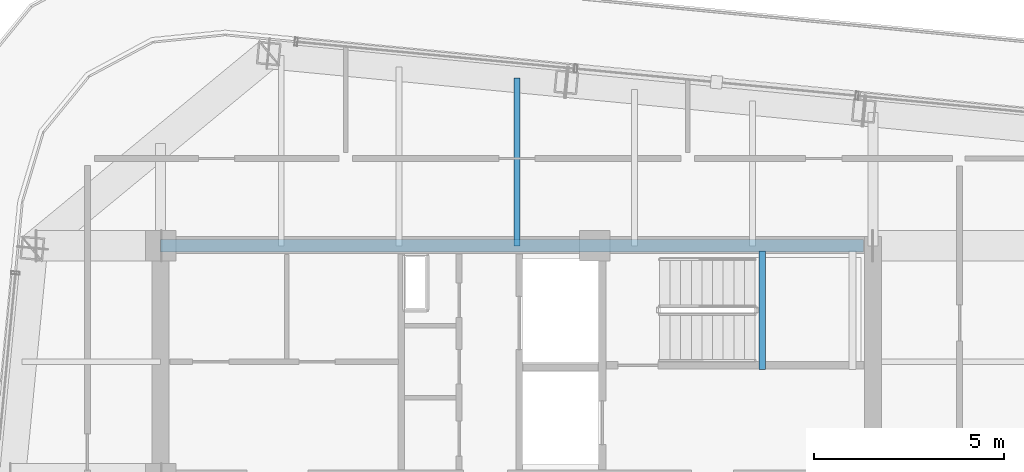
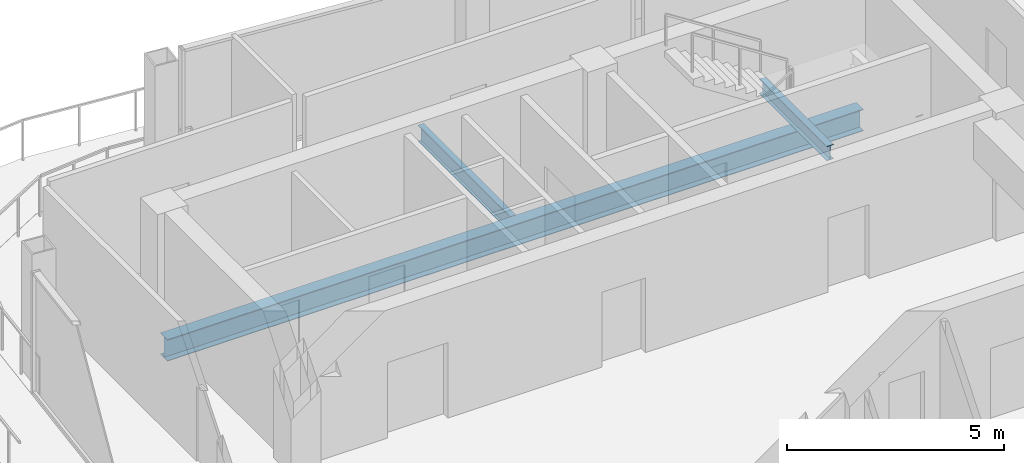
# One storey, part 9 of 20: 3 beams.
"""IFC4 building model written with IfcOpenShell, lengths in metres."""

import ifcopenshell
import ifcopenshell.guid

model = None  # the IFC model being written
_history = None  # IfcOwnerHistory: only IFC2X3 demands one
_inside = {}  # id of a spatial element -> (the spatial element, [elements in it])
_under = {}  # id of a project, library or spatial element -> (it, [spatial elements below it])
_declared = {}  # id of a project -> (the project, [libraries it declares])
_typed = {}  # id of a type object -> (the type object, [elements of that type])
_made_of = {}  # id of a material, layer set ... -> (it, [elements and type objects made of it])


def new_model(schema):
    """Start an empty IFC model of exactly this schema.

    Asked for "IFC4X3", IfcOpenShell would pick the latest addendum, in which some entities
    have other attributes; the version numbers below select the first issue.
    IFC2X3 requires an IfcOwnerHistory on every rooted entity: one is made here for all.
    """
    global model, _history
    if schema == "IFC4X3":
        model = ifcopenshell.file(schema_version=(4, 3, 0, 0))
    else:
        model = ifcopenshell.file(schema=schema)
    _inside.clear()
    _under.clear()
    _declared.clear()
    _typed.clear()
    _made_of.clear()
    _history = None
    if model.schema == "IFC2X3":
        org = make("IfcOrganization", Name="unknown")
        user = make(
            "IfcPersonAndOrganization",
            ThePerson=make("IfcPerson", FamilyName="unknown"),
            TheOrganization=org,
        )
        app = make(
            "IfcApplication",
            ApplicationDeveloper=org,
            Version="unknown",
            ApplicationFullName="unknown",
            ApplicationIdentifier="unknown",
        )
        _history = make(
            "IfcOwnerHistory",
            OwningUser=user,
            OwningApplication=app,
            ChangeAction="ADDED",
            CreationDate=0,
        )
    return model


def make(cls, **values):
    """One entity of the class cls with the attributes given. An attribute that is None is left unset."""
    return model.create_entity(
        cls, **{name: value for name, value in values.items() if value is not None}
    )


def rooted(cls, **values):
    """An entity with a GlobalId (a new one), such as an element, a storey or a relation."""
    return make(cls, GlobalId=ifcopenshell.guid.new(), OwnerHistory=_history, **values)


def si_unit(unit_type, name, prefix=None):
    """IfcSIUnit, for example si_unit("LENGTHUNIT", "METRE", prefix="MILLI")."""
    return make("IfcSIUnit", UnitType=unit_type, Prefix=prefix, Name=name)


def assignment(units):
    """IfcUnitAssignment: the units of a project."""
    return None if units is None else make("IfcUnitAssignment", Units=units)


def point(xyz):
    """IfcCartesianPoint."""
    return None if xyz is None else make("IfcCartesianPoint", Coordinates=xyz)


def direction(xyz):
    """IfcDirection."""
    return None if xyz is None else make("IfcDirection", DirectionRatios=xyz)


def frame(location, z_axis=None, x_axis=None):
    """IfcAxis2Placement3D, a coordinate frame: its origin and axes. An axis left out is left unset."""
    return make(
        "IfcAxis2Placement3D",
        Location=point(location),
        Axis=direction(z_axis),
        RefDirection=direction(x_axis),
    )


def frame_2d(location, x_axis=None):
    """IfcAxis2Placement2D, a coordinate frame in the plane: its origin and x axis."""
    return make(
        "IfcAxis2Placement2D", Location=point(location), RefDirection=direction(x_axis)
    )


def origin():
    """The frame at (0, 0, 0) with its axes left unset."""
    return frame((0.0, 0.0, 0.0))


def origin_2d():
    """The frame at (0, 0) in the plane with its x axis left unset."""
    return frame_2d((0.0, 0.0))


def place(relative_to, where):
    """IfcLocalPlacement: puts the frame where relative to a parent placement (None: the world)."""
    return make(
        "IfcLocalPlacement", PlacementRelTo=relative_to, RelativePlacement=where
    )


def context(
    kind, dimensions, precision=None, world=None, true_north=None, identifier=None
):
    """IfcGeometricRepresentationContext, for example the 3D "Model" context."""
    return make(
        "IfcGeometricRepresentationContext",
        ContextIdentifier=identifier,
        ContextType=kind,
        CoordinateSpaceDimension=dimensions,
        Precision=precision,
        WorldCoordinateSystem=world,
        TrueNorth=true_north,
    )


def subcontext(parent, identifier, kind, view, scale=None):
    """IfcGeometricRepresentationSubContext, for example "Body" below "Model"."""
    return make(
        "IfcGeometricRepresentationSubContext",
        ContextIdentifier=identifier,
        ContextType=kind,
        ParentContext=parent,
        TargetScale=scale,
        TargetView=view,
    )


def project(units=None, contexts=None):
    """IfcProject with its units and contexts."""
    return rooted(
        "IfcProject",
        Name="project",
        RepresentationContexts=contexts,
        UnitsInContext=assignment(units),
    )


def spatial(cls, under=None, at=None, **own):
    """A site, building, storey or space (cls), placed at a placement, below another one or the project."""
    s = rooted(cls, ObjectPlacement=at, **own)
    if under is not None:
        _under.setdefault(under.id(), (under, []))[1].append(s)
    return s


def profile(cls, at=None, kind="AREA", **sizes):
    """A parametric profile (cls). Its sizes go by their IFC names, for example OverallWidth=200.0."""
    return make(cls, ProfileType=kind, Position=at, **sizes)


def i_section(**sizes):
    """IfcIShapeProfileDef."""
    return profile("IfcIShapeProfileDef", **sizes)


def extrude(swept, where, along, depth):
    """IfcExtrudedAreaSolid: the profile swept, set in the frame where, extruded along a direction by depth."""
    return make(
        "IfcExtrudedAreaSolid",
        SweptArea=swept,
        Position=where,
        ExtrudedDirection=direction(along),
        Depth=depth,
    )


def shape(context_of_items, identifier, shape_type, items):
    """IfcShapeRepresentation: the items that make up one representation, for example the "Body"."""
    return make(
        "IfcShapeRepresentation",
        ContextOfItems=context_of_items,
        RepresentationIdentifier=identifier,
        RepresentationType=shape_type,
        Items=items,
    )


def material(Name=None, Category=None):
    """IfcMaterial."""
    return make("IfcMaterial", Name=Name, Category=Category)


def material_profile(
    of_material, cross_section, Name=None, Category=None, Priority=None
):
    """IfcMaterialProfile: a cross section and its material."""
    return make(
        "IfcMaterialProfile",
        Name=Name,
        Material=of_material,
        Profile=cross_section,
        Priority=Priority,
        Category=Category,
    )


def profile_set(profiles, Name=None, composite=None):
    """IfcMaterialProfileSet."""
    return make(
        "IfcMaterialProfileSet",
        Name=Name,
        MaterialProfiles=profiles,
        CompositeProfile=composite,
    )


def made_of(thing, what):
    """Note that an element or type object is made of a material, layer set ...; save() writes the relation."""
    if what is not None:
        _made_of.setdefault(what.id(), (what, []))[1].append(thing)
    return thing


def type_object(cls, material=None, **own):
    """A type object (cls), such as IfcWallType, which elements share."""
    return made_of(rooted(cls, **own), material)


def element(
    cls,
    number,
    at=None,
    inside=None,
    cuts=None,
    type_object=None,
    material=None,
    context=None,
    identifier="Body",
    shape_type=None,
    held_by="IfcProductDefinitionShape",
    body=None,
    shapes=None,
    **own,
):
    """One element of the class cls, such as IfcWall. Its Tag is "e" and its number.

    at: its placement. inside: the storey or other place that contains it. cuts: it is an
    opening in that element (IfcRelVoidsElement). A single representation is given by context,
    identifier, shape_type and body (its items); several are given by shapes. held_by: the class
    of the entity that holds the representations. save() writes the other relations.
    """
    e = rooted(cls, Tag="e%d" % number, ObjectPlacement=at, **own)
    if body is not None:
        shapes = [shape(context, identifier, shape_type, body)]
    if shapes is not None:
        e.Representation = make(held_by, Representations=shapes)
    if inside is not None:
        _inside.setdefault(inside.id(), (inside, []))[1].append(e)
    if cuts is not None:
        rooted(
            "IfcRelVoidsElement", RelatingBuildingElement=cuts, RelatedOpeningElement=e
        )
    if type_object is not None:
        _typed.setdefault(type_object.id(), (type_object, []))[1].append(e)
    return made_of(e, material)


def aggregate(whole, parts):
    """IfcRelAggregates: a whole, such as a stair, and the parts it consists of."""
    return rooted("IfcRelAggregates", RelatingObject=whole, RelatedObjects=parts)


def save(model, path):
    """Write the relations noted so far, then the file.

    IfcRelAggregates (storeys below a building ...), IfcRelContainedInSpatialStructure (elements
    in a storey), IfcRelDefinesByType, IfcRelAssociatesMaterial and IfcRelDeclares: one each for
    every whole, place, type object, material and project.
    """
    for whole, parts in _under.values():
        aggregate(whole, parts)
    for where, things in _inside.values():
        rooted(
            "IfcRelContainedInSpatialStructure",
            RelatedElements=things,
            RelatingStructure=where,
        )
    for kind, things in _typed.values():
        rooted("IfcRelDefinesByType", RelatedObjects=things, RelatingType=kind)
    for what, things in _made_of.values():
        rooted("IfcRelAssociatesMaterial", RelatedObjects=things, RelatingMaterial=what)
    for by, libraries in _declared.values():
        rooted("IfcRelDeclares", RelatingContext=by, RelatedDefinitions=libraries)
    model.write(path)


model = new_model("IFC4")

# Units and contexts
model_context = context("Model", 3, precision=1e-05, world=origin(), true_north=direction((0.0, 1.0)))
body_context = subcontext(model_context, "Body", "Model", "MODEL_VIEW")
ifc_project = project(units=[si_unit("LENGTHUNIT", "METRE"), si_unit("AREAUNIT", "SQUARE_METRE"), si_unit("VOLUMEUNIT", "CUBIC_METRE"), si_unit("PLANEANGLEUNIT", "RADIAN"), si_unit("MASSUNIT", "GRAM", prefix="KILO")], contexts=[model_context])

# Site, building, storey
site_placement = place(None, origin())
site = spatial("IfcSite", under=ifc_project, at=site_placement, CompositionType="ELEMENT")
building_placement = place(site_placement, origin())
building = spatial("IfcBuilding", under=site, at=building_placement, Name="Qhalaya Broadcast Tower", CompositionType="ELEMENT")
storey_placement = place(building_placement, frame((0.0, 0.0, 273.35009765625)))
storey = spatial("IfcBuildingStorey", under=building, at=storey_placement, Name="L81", CompositionType="ELEMENT", Elevation=273.35009765625)

# Beams
ifc_material = material(Name="Structural Steel ASTM A992 Grade 50", Category="steel")
ifc_material_profile_1 = material_profile(ifc_material, i_section(OverallWidth=0.154052734375, OverallDepth=0.458984375, WebThickness=0.009033203125, FlangeThickness=0.015380859375, at=origin_2d()), Name="W18X46")
ifc_profile_set_1 = profile_set([ifc_material_profile_1], Name="Structural Steel ASTM A992 Grade 50")
beam_type_1 = type_object("IfcBeamType", Name="Composite Floor Joist J04", PredefinedType="JOIST", material=ifc_profile_set_1)
beam_1_placement = place(storey_placement, frame((0.0, 9.949951171875, -0.419677734375), z_axis=(0.0, 1.0, 0.0), x_axis=(-1.0, 0.0, 0.0)))
element("IfcBeam", 1, at=beam_1_placement, inside=storey, type_object=beam_type_1, Name="L81 J04 L81-JNN3-1", PredefinedType="JOIST", context=body_context, shape_type="SweptSolid", body=[
    extrude(i_section(OverallWidth=0.154052734375, OverallDepth=0.458984375, WebThickness=0.009033203125, FlangeThickness=0.015380859375, at=origin_2d()), origin(), (0.0, 0.0, 1.0), 4.411865234375),
])
ifc_material_profile_2 = material_profile(ifc_material, i_section(OverallWidth=0.323974609375, OverallDepth=0.612060546875, WebThickness=0.0126953125, FlangeThickness=0.01904296875, at=origin_2d()), Name="W24X104")
ifc_profile_set_2 = profile_set([ifc_material_profile_2], Name="Structural Steel ASTM A992 Grade 50")
beam_type_2 = type_object("IfcBeamType", Name="Core Frame Tie Beam B04", PredefinedType="BEAM", material=ifc_profile_set_2)
beam_2_placement = place(storey_placement, frame((-9.375, 9.949951171875, -0.49609375), z_axis=(1.0, 0.0, 0.0), x_axis=(0.0, 1.0, 0.0)))
element("IfcBeam", 2, at=beam_2_placement, inside=storey, type_object=beam_type_2, Name="L81 B04 L81-CCN3", PredefinedType="BEAM", context=body_context, shape_type="SweptSolid", body=[
    extrude(i_section(OverallWidth=0.323974609375, OverallDepth=0.612060546875, WebThickness=0.0126953125, FlangeThickness=0.01904296875, at=origin_2d()), origin(), (0.0, 0.0, 1.0), 18.4951171875),
])
ifc_material_profile_3 = material_profile(ifc_material, i_section(OverallWidth=0.177978515625, OverallDepth=0.406005859375, WebThickness=0.0078125, FlangeThickness=0.0126953125, at=origin_2d()), Name="W16X40")
ifc_profile_set_3 = profile_set([ifc_material_profile_3], Name="Structural Steel ASTM A992 Grade 50")
beam_type_3 = type_object("IfcBeamType", Name="Upper Perimeter Spandrel Beam SP2", PredefinedType="SPANDREL", material=ifc_profile_set_3)
beam_3_placement = place(storey_placement, frame((6.455078125, 6.699951171875, 1.39697265625), z_axis=(0.0, 1.0, 0.0), x_axis=(-1.0, 0.0, 0.0)))
element("IfcBeam", 3, at=beam_3_placement, inside=storey, type_object=beam_type_3, Name="L81 ST-1 Half-Landing Bearer Beam 1", PredefinedType="SPANDREL", context=body_context, shape_type="SweptSolid", body=[
    extrude(i_section(OverallWidth=0.177978515625, OverallDepth=0.406005859375, WebThickness=0.0078125, FlangeThickness=0.0126953125, at=origin_2d()), origin(), (0.0, 0.0, 1.0), 3.1201171875),
])

save(model, "model.ifc")
